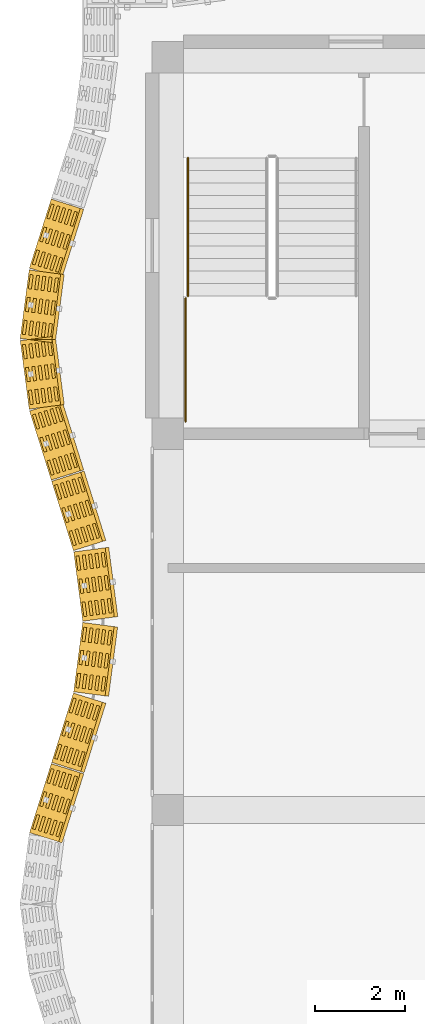
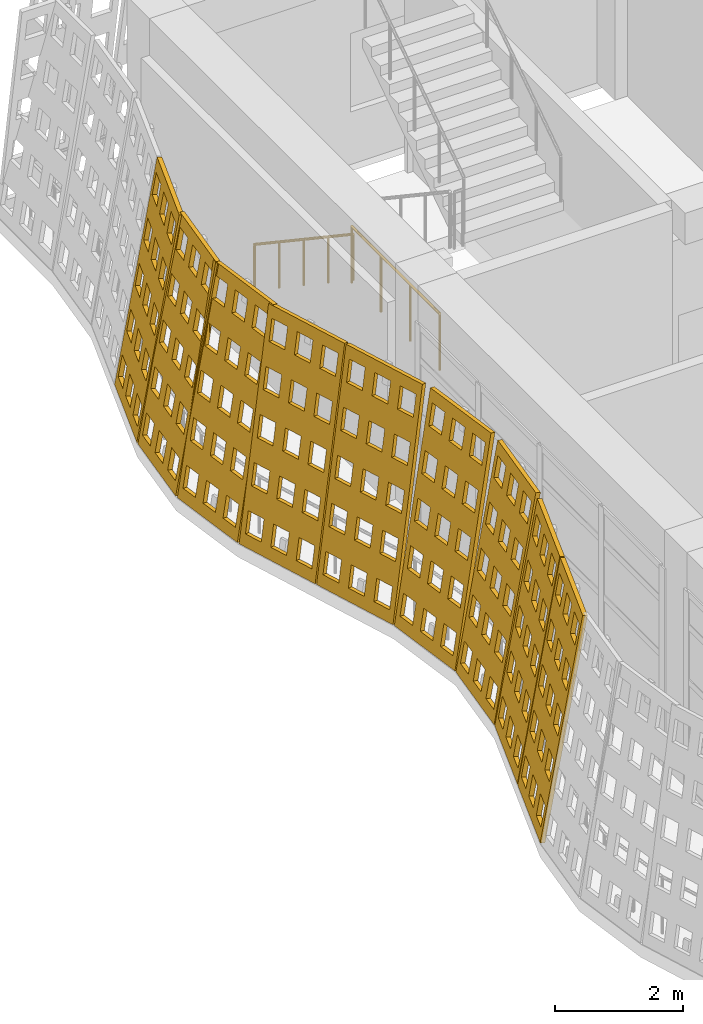
# One storey, part 122 of 162: 9 coverings, 2 railings.
"""IFC4 building model written with IfcOpenShell, lengths in metres."""

from ifc_helpers import new_model, si_unit, direction, frame, origin, origin_2d, place, context, subcontext, project, spatial, polyline, circle, outline, extrude, material, layer, layer_set, type_object, element, save


model = new_model("IFC4")

# Units and contexts
model_context = context("Model", 3, precision=1e-05, world=origin(), true_north=direction((0.0, 1.0)))
body_context = subcontext(model_context, "Body", "Model", "MODEL_VIEW")
ifc_project = project(units=[si_unit("LENGTHUNIT", "METRE"), si_unit("AREAUNIT", "SQUARE_METRE"), si_unit("VOLUMEUNIT", "CUBIC_METRE"), si_unit("PLANEANGLEUNIT", "RADIAN"), si_unit("MASSUNIT", "GRAM", prefix="KILO")], contexts=[model_context])

# Site, building, storey
site_placement = place(None, origin())
site = spatial("IfcSite", under=ifc_project, at=site_placement, CompositionType="ELEMENT")
building_placement = place(site_placement, origin())
building = spatial("IfcBuilding", under=site, at=building_placement, Name="Rain Tree Exposition and Congress Centre", CompositionType="ELEMENT")
storey_placement = place(building_placement, frame((0.0, 0.0, 6.0)))
storey = spatial("IfcBuildingStorey", under=building, at=storey_placement, Name="L01", CompositionType="ELEMENT", Elevation=6.0)

# Coverings
ifc_material_1 = material(Name="Perforated terracotta", Category="masonry")
ifc_layer = layer(ifc_material_1, 0.080078125)
ifc_layer_set = layer_set([ifc_layer], Name="Perforated terracotta")
covering_type = type_object("IfcCoveringType", Name="Terracotta screen 80", PredefinedType="CLADDING", material=ifc_layer_set)
covering_1_placement = place(storey_placement, frame((-2.598388671875, 47.24951171875, 0.0126953125), z_axis=(0.941176896939, -0.298496232686, -0.158385756119), x_axis=(0.302312226207, 0.953208958144, 0.0)))
element("IfcCovering", 1, at=covering_1_placement, inside=storey, type_object=covering_type, Name="wing/screen/L01/105", PredefinedType="CLADDING", context=body_context, shape_type="SweptSolid", body=[
    extrude(outline(polyline([(-1.62890625, 0.0), (-1.62890625, 4.291259765625), (-0.014892578125, 4.291259765625), (-0.014892578125, 0.0), (-1.62890625, 0.0)]), holes=[polyline([(-0.1171875, 0.221435546875), (-0.1171875, 0.63671875), (-0.45068359375, 0.63671875), (-0.45068359375, 0.221435546875), (-0.1171875, 0.221435546875)]), polyline([(-0.1171875, 1.07958984375), (-0.1171875, 1.4951171875), (-0.45068359375, 1.4951171875), (-0.45068359375, 1.07958984375), (-0.1171875, 1.07958984375)]), polyline([(-0.1171875, 1.93798828125), (-0.1171875, 2.353271484375), (-0.45068359375, 2.353271484375), (-0.45068359375, 1.93798828125), (-0.1171875, 1.93798828125)]), polyline([(-0.1171875, 2.796142578125), (-0.1171875, 3.21142578125), (-0.45068359375, 3.21142578125), (-0.45068359375, 2.796142578125), (-0.1171875, 2.796142578125)]), polyline([(-0.1171875, 3.654541015625), (-0.1171875, 4.06982421875), (-0.45068359375, 4.06982421875), (-0.45068359375, 3.654541015625), (-0.1171875, 3.654541015625)]), polyline([(-0.6552734375, 0.221435546875), (-0.6552734375, 0.63671875), (-0.98876953125, 0.63671875), (-0.98876953125, 0.221435546875), (-0.6552734375, 0.221435546875)]), polyline([(-0.6552734375, 1.07958984375), (-0.6552734375, 1.4951171875), (-0.98876953125, 1.4951171875), (-0.98876953125, 1.07958984375), (-0.6552734375, 1.07958984375)]), polyline([(-0.6552734375, 1.93798828125), (-0.6552734375, 2.353271484375), (-0.98876953125, 2.353271484375), (-0.98876953125, 1.93798828125), (-0.6552734375, 1.93798828125)]), polyline([(-0.6552734375, 2.796142578125), (-0.6552734375, 3.21142578125), (-0.98876953125, 3.21142578125), (-0.98876953125, 2.796142578125), (-0.6552734375, 2.796142578125)]), polyline([(-0.6552734375, 3.654541015625), (-0.6552734375, 4.06982421875), (-0.98876953125, 4.06982421875), (-0.98876953125, 3.654541015625), (-0.6552734375, 3.654541015625)]), polyline([(-1.193115234375, 0.221435546875), (-1.193115234375, 0.63671875), (-1.526611328125, 0.63671875), (-1.526611328125, 0.221435546875), (-1.193115234375, 0.221435546875)]), polyline([(-1.193115234375, 1.07958984375), (-1.193115234375, 1.4951171875), (-1.526611328125, 1.4951171875), (-1.526611328125, 1.07958984375), (-1.193115234375, 1.07958984375)]), polyline([(-1.193115234375, 1.93798828125), (-1.193115234375, 2.353271484375), (-1.526611328125, 2.353271484375), (-1.526611328125, 1.93798828125), (-1.193115234375, 1.93798828125)]), polyline([(-1.193115234375, 2.796142578125), (-1.193115234375, 3.21142578125), (-1.526611328125, 3.21142578125), (-1.526611328125, 2.796142578125), (-1.193115234375, 2.796142578125)]), polyline([(-1.193115234375, 3.654541015625), (-1.193115234375, 4.06982421875), (-1.526611328125, 4.06982421875), (-1.526611328125, 3.654541015625), (-1.193115234375, 3.654541015625)])]), origin(), (0.0, 0.0, 1.0), 0.080078125),
])
covering_2_placement = place(storey_placement, frame((-3.093017578125, 45.6748046875, 0.01318359375), z_axis=(0.9779030419, -0.128349774249, -0.165021138321), x_axis=(0.130133906157, 0.991496427865, 0.0)))
element("IfcCovering", 2, at=covering_2_placement, inside=storey, type_object=covering_type, Name="wing/screen/L01/106", PredefinedType="CLADDING", context=body_context, shape_type="SweptSolid", body=[
    extrude(outline(polyline([(-1.56298828125, 0.0), (-1.56298828125, 4.295166015625), (-0.02197265625, 4.295166015625), (-0.02197265625, 0.0), (-1.56298828125, 0.0)]), holes=[polyline([(-0.11962890625, 0.2216796875), (-0.11962890625, 0.63720703125), (-0.43798828125, 0.63720703125), (-0.43798828125, 0.2216796875), (-0.11962890625, 0.2216796875)]), polyline([(-0.11962890625, 1.080810546875), (-0.11962890625, 1.496337890625), (-0.43798828125, 1.496337890625), (-0.43798828125, 1.080810546875), (-0.11962890625, 1.080810546875)]), polyline([(-0.11962890625, 1.939697265625), (-0.11962890625, 2.35546875), (-0.43798828125, 2.35546875), (-0.43798828125, 1.939697265625), (-0.11962890625, 1.939697265625)]), polyline([(-0.11962890625, 2.798583984375), (-0.11962890625, 3.21435546875), (-0.43798828125, 3.21435546875), (-0.43798828125, 2.798583984375), (-0.11962890625, 2.798583984375)]), polyline([(-0.11962890625, 3.65771484375), (-0.11962890625, 4.073486328125), (-0.43798828125, 4.073486328125), (-0.43798828125, 3.65771484375), (-0.11962890625, 3.65771484375)]), polyline([(-0.63330078125, 0.2216796875), (-0.63330078125, 0.63720703125), (-0.95166015625, 0.63720703125), (-0.95166015625, 0.2216796875), (-0.63330078125, 0.2216796875)]), polyline([(-0.63330078125, 1.080810546875), (-0.63330078125, 1.496337890625), (-0.95166015625, 1.496337890625), (-0.95166015625, 1.080810546875), (-0.63330078125, 1.080810546875)]), polyline([(-0.63330078125, 1.939697265625), (-0.63330078125, 2.35546875), (-0.95166015625, 2.35546875), (-0.95166015625, 1.939697265625), (-0.63330078125, 1.939697265625)]), polyline([(-0.63330078125, 2.798583984375), (-0.63330078125, 3.21435546875), (-0.95166015625, 3.21435546875), (-0.95166015625, 2.798583984375), (-0.63330078125, 2.798583984375)]), polyline([(-0.63330078125, 3.65771484375), (-0.63330078125, 4.073486328125), (-0.95166015625, 4.073486328125), (-0.95166015625, 3.65771484375), (-0.63330078125, 3.65771484375)]), polyline([(-1.146728515625, 0.2216796875), (-1.146728515625, 0.63720703125), (-1.46533203125, 0.63720703125), (-1.46533203125, 0.2216796875), (-1.146728515625, 0.2216796875)]), polyline([(-1.146728515625, 1.080810546875), (-1.146728515625, 1.496337890625), (-1.46533203125, 1.496337890625), (-1.46533203125, 1.080810546875), (-1.146728515625, 1.080810546875)]), polyline([(-1.146728515625, 1.939697265625), (-1.146728515625, 2.35546875), (-1.46533203125, 2.35546875), (-1.46533203125, 1.939697265625), (-1.146728515625, 1.939697265625)]), polyline([(-1.146728515625, 2.798583984375), (-1.146728515625, 3.21435546875), (-1.46533203125, 3.21435546875), (-1.46533203125, 2.798583984375), (-1.146728515625, 2.798583984375)]), polyline([(-1.146728515625, 3.65771484375), (-1.146728515625, 4.073486328125), (-1.46533203125, 4.073486328125), (-1.46533203125, 3.65771484375), (-1.146728515625, 3.65771484375)])]), origin(), (0.0, 0.0, 1.0), 0.079833984375),
])
covering_3_placement = place(storey_placement, frame((-3.298095703125, 44.100341796875, 0.01318359375), z_axis=(0.9779030419, 0.128349774249, -0.165021138321), x_axis=(-0.130133906157, 0.991496427865, 0.0)))
element("IfcCovering", 3, at=covering_3_placement, inside=storey, type_object=covering_type, Name="wing/screen/L01/107", PredefinedType="CLADDING", context=body_context, shape_type="SweptSolid", body=[
    extrude(outline(polyline([(-1.56640625, 0.0), (-1.56640625, 4.295166015625), (-0.025390625, 4.295166015625), (-0.025390625, 0.0), (-1.56640625, 0.0)]), holes=[polyline([(-0.123046875, 0.2216796875), (-0.123046875, 0.63720703125), (-0.44140625, 0.63720703125), (-0.44140625, 0.2216796875), (-0.123046875, 0.2216796875)]), polyline([(-0.123046875, 1.080810546875), (-0.123046875, 1.496337890625), (-0.44140625, 1.496337890625), (-0.44140625, 1.080810546875), (-0.123046875, 1.080810546875)]), polyline([(-0.123046875, 1.939697265625), (-0.123046875, 2.35546875), (-0.44140625, 2.35546875), (-0.44140625, 1.939697265625), (-0.123046875, 1.939697265625)]), polyline([(-0.123046875, 2.798583984375), (-0.123046875, 3.21435546875), (-0.44140625, 3.21435546875), (-0.44140625, 2.798583984375), (-0.123046875, 2.798583984375)]), polyline([(-0.123046875, 3.65771484375), (-0.123046875, 4.073486328125), (-0.44140625, 4.073486328125), (-0.44140625, 3.65771484375), (-0.123046875, 3.65771484375)]), polyline([(-0.63671875, 0.2216796875), (-0.63671875, 0.63720703125), (-0.955078125, 0.63720703125), (-0.955078125, 0.2216796875), (-0.63671875, 0.2216796875)]), polyline([(-0.63671875, 1.080810546875), (-0.63671875, 1.496337890625), (-0.955078125, 1.496337890625), (-0.955078125, 1.080810546875), (-0.63671875, 1.080810546875)]), polyline([(-0.63671875, 1.939697265625), (-0.63671875, 2.35546875), (-0.955078125, 2.35546875), (-0.955078125, 1.939697265625), (-0.63671875, 1.939697265625)]), polyline([(-0.63671875, 2.798583984375), (-0.63671875, 3.21435546875), (-0.955078125, 3.21435546875), (-0.955078125, 2.798583984375), (-0.63671875, 2.798583984375)]), polyline([(-0.63671875, 3.65771484375), (-0.63671875, 4.073486328125), (-0.955078125, 4.073486328125), (-0.955078125, 3.65771484375), (-0.63671875, 3.65771484375)]), polyline([(-1.150146484375, 0.2216796875), (-1.150146484375, 0.63720703125), (-1.46875, 0.63720703125), (-1.46875, 0.2216796875), (-1.150146484375, 0.2216796875)]), polyline([(-1.150146484375, 1.080810546875), (-1.150146484375, 1.496337890625), (-1.46875, 1.496337890625), (-1.46875, 1.080810546875), (-1.150146484375, 1.080810546875)]), polyline([(-1.150146484375, 1.939697265625), (-1.150146484375, 2.35546875), (-1.46875, 2.35546875), (-1.46875, 1.939697265625), (-1.150146484375, 1.939697265625)]), polyline([(-1.150146484375, 2.798583984375), (-1.150146484375, 3.21435546875), (-1.46875, 3.21435546875), (-1.46875, 2.798583984375), (-1.150146484375, 2.798583984375)]), polyline([(-1.150146484375, 3.65771484375), (-1.150146484375, 4.073486328125), (-1.46875, 4.073486328125), (-1.46875, 3.65771484375), (-1.150146484375, 3.65771484375)])]), origin(), (0.0, 0.0, 1.0), 0.079833984375),
])
covering_4_placement = place(storey_placement, frame((-3.093505859375, 42.525634765625, 0.0126953125), z_axis=(0.942029390639, 0.295717964052, -0.158529217842), x_axis=(-0.29950542383, 0.954094597562, 0.0)))
element("IfcCovering", 4, at=covering_4_placement, inside=storey, type_object=covering_type, Name="wing/screen/L01/108", PredefinedType="CLADDING", context=body_context, shape_type="SweptSolid", body=[
    extrude(outline(polyline([(-1.635986328125, 0.0), (-1.635986328125, 4.291259765625), (-0.02197265625, 4.291259765625), (-0.02197265625, 0.0), (-1.635986328125, 0.0)]), holes=[polyline([(-0.124267578125, 0.221435546875), (-0.124267578125, 0.63671875), (-0.457763671875, 0.63671875), (-0.457763671875, 0.221435546875), (-0.124267578125, 0.221435546875)]), polyline([(-0.124267578125, 1.07958984375), (-0.124267578125, 1.4951171875), (-0.457763671875, 1.4951171875), (-0.457763671875, 1.07958984375), (-0.124267578125, 1.07958984375)]), polyline([(-0.124267578125, 1.93798828125), (-0.124267578125, 2.353271484375), (-0.457763671875, 2.353271484375), (-0.457763671875, 1.93798828125), (-0.124267578125, 1.93798828125)]), polyline([(-0.124267578125, 2.796142578125), (-0.124267578125, 3.21142578125), (-0.457763671875, 3.21142578125), (-0.457763671875, 2.796142578125), (-0.124267578125, 2.796142578125)]), polyline([(-0.124267578125, 3.654541015625), (-0.124267578125, 4.06982421875), (-0.457763671875, 4.06982421875), (-0.457763671875, 3.654541015625), (-0.124267578125, 3.654541015625)]), polyline([(-0.662109375, 0.221435546875), (-0.662109375, 0.63671875), (-0.995849609375, 0.63671875), (-0.995849609375, 0.221435546875), (-0.662109375, 0.221435546875)]), polyline([(-0.662109375, 1.07958984375), (-0.662109375, 1.4951171875), (-0.995849609375, 1.4951171875), (-0.995849609375, 1.07958984375), (-0.662109375, 1.07958984375)]), polyline([(-0.662109375, 1.93798828125), (-0.662109375, 2.353271484375), (-0.995849609375, 2.353271484375), (-0.995849609375, 1.93798828125), (-0.662109375, 1.93798828125)]), polyline([(-0.662109375, 2.796142578125), (-0.662109375, 3.21142578125), (-0.995849609375, 3.21142578125), (-0.995849609375, 2.796142578125), (-0.662109375, 2.796142578125)]), polyline([(-0.662109375, 3.654541015625), (-0.662109375, 4.06982421875), (-0.995849609375, 4.06982421875), (-0.995849609375, 3.654541015625), (-0.662109375, 3.654541015625)]), polyline([(-1.2001953125, 0.221435546875), (-1.2001953125, 0.63671875), (-1.53369140625, 0.63671875), (-1.53369140625, 0.221435546875), (-1.2001953125, 0.221435546875)]), polyline([(-1.2001953125, 1.07958984375), (-1.2001953125, 1.4951171875), (-1.53369140625, 1.4951171875), (-1.53369140625, 1.07958984375), (-1.2001953125, 1.07958984375)]), polyline([(-1.2001953125, 1.93798828125), (-1.2001953125, 2.353271484375), (-1.53369140625, 2.353271484375), (-1.53369140625, 1.93798828125), (-1.2001953125, 1.93798828125)]), polyline([(-1.2001953125, 2.796142578125), (-1.2001953125, 3.21142578125), (-1.53369140625, 3.21142578125), (-1.53369140625, 2.796142578125), (-1.2001953125, 2.796142578125)]), polyline([(-1.2001953125, 3.654541015625), (-1.2001953125, 4.06982421875), (-1.53369140625, 4.06982421875), (-1.53369140625, 3.654541015625), (-1.2001953125, 3.654541015625)])]), origin(), (0.0, 0.0, 1.0), 0.080078125),
])
covering_5_placement = place(storey_placement, frame((-2.598388671875, 40.95068359375, 0.0126953125), z_axis=(0.942029390639, 0.295717964052, -0.158529217842), x_axis=(-0.29950542383, 0.954094597562, 0.0)))
element("IfcCovering", 5, at=covering_5_placement, inside=storey, type_object=covering_type, Name="wing/screen/L01/109", PredefinedType="CLADDING", context=body_context, shape_type="SweptSolid", body=[
    extrude(outline(polyline([(-1.635986328125, 0.0), (-1.635986328125, 4.291259765625), (-0.014892578125, 4.291259765625), (-0.014892578125, 0.0), (-1.635986328125, 0.0)]), holes=[polyline([(-0.11767578125, 0.221435546875), (-0.11767578125, 0.63671875), (-0.45263671875, 0.63671875), (-0.45263671875, 0.221435546875), (-0.11767578125, 0.221435546875)]), polyline([(-0.11767578125, 1.07958984375), (-0.11767578125, 1.4951171875), (-0.45263671875, 1.4951171875), (-0.45263671875, 1.07958984375), (-0.11767578125, 1.07958984375)]), polyline([(-0.11767578125, 1.93798828125), (-0.11767578125, 2.353271484375), (-0.45263671875, 2.353271484375), (-0.45263671875, 1.93798828125), (-0.11767578125, 1.93798828125)]), polyline([(-0.11767578125, 2.796142578125), (-0.11767578125, 3.21142578125), (-0.45263671875, 3.21142578125), (-0.45263671875, 2.796142578125), (-0.11767578125, 2.796142578125)]), polyline([(-0.11767578125, 3.654541015625), (-0.11767578125, 4.06982421875), (-0.45263671875, 4.06982421875), (-0.45263671875, 3.654541015625), (-0.11767578125, 3.654541015625)]), polyline([(-0.657958984375, 0.221435546875), (-0.657958984375, 0.63671875), (-0.992919921875, 0.63671875), (-0.992919921875, 0.221435546875), (-0.657958984375, 0.221435546875)]), polyline([(-0.657958984375, 1.07958984375), (-0.657958984375, 1.4951171875), (-0.992919921875, 1.4951171875), (-0.992919921875, 1.07958984375), (-0.657958984375, 1.07958984375)]), polyline([(-0.657958984375, 1.93798828125), (-0.657958984375, 2.353271484375), (-0.992919921875, 2.353271484375), (-0.992919921875, 1.93798828125), (-0.657958984375, 1.93798828125)]), polyline([(-0.657958984375, 2.796142578125), (-0.657958984375, 3.21142578125), (-0.992919921875, 3.21142578125), (-0.992919921875, 2.796142578125), (-0.657958984375, 2.796142578125)]), polyline([(-0.657958984375, 3.654541015625), (-0.657958984375, 4.06982421875), (-0.992919921875, 4.06982421875), (-0.992919921875, 3.654541015625), (-0.657958984375, 3.654541015625)]), polyline([(-1.1982421875, 0.221435546875), (-1.1982421875, 0.63671875), (-1.533203125, 0.63671875), (-1.533203125, 0.221435546875), (-1.1982421875, 0.221435546875)]), polyline([(-1.1982421875, 1.07958984375), (-1.1982421875, 1.4951171875), (-1.533203125, 1.4951171875), (-1.533203125, 1.07958984375), (-1.1982421875, 1.07958984375)]), polyline([(-1.1982421875, 1.93798828125), (-1.1982421875, 2.353271484375), (-1.533203125, 2.353271484375), (-1.533203125, 1.93798828125), (-1.1982421875, 1.93798828125)]), polyline([(-1.1982421875, 2.796142578125), (-1.1982421875, 3.21142578125), (-1.533203125, 3.21142578125), (-1.533203125, 2.796142578125), (-1.1982421875, 2.796142578125)]), polyline([(-1.1982421875, 3.654541015625), (-1.1982421875, 4.06982421875), (-1.533203125, 4.06982421875), (-1.533203125, 3.654541015625), (-1.1982421875, 3.654541015625)])]), origin(), (0.0, 0.0, 1.0), 0.080078125),
])
covering_6_placement = place(storey_placement, frame((-2.10302734375, 39.375244140625, 0.01318359375), z_axis=(0.9779030419, 0.128349774249, -0.165021138321), x_axis=(-0.130133906157, 0.991496427865, 0.0)))
element("IfcCovering", 6, at=covering_6_placement, inside=storey, type_object=covering_type, Name="wing/screen/L01/110", PredefinedType="CLADDING", context=body_context, shape_type="SweptSolid", body=[
    extrude(outline(polyline([(-1.5732421875, 0.0), (-1.5732421875, 4.295166015625), (-0.014892578125, 4.295166015625), (-0.014892578125, 0.0), (-1.5732421875, 0.0)]), holes=[polyline([(-0.11376953125, 0.2216796875), (-0.11376953125, 0.63720703125), (-0.435791015625, 0.63720703125), (-0.435791015625, 0.2216796875), (-0.11376953125, 0.2216796875)]), polyline([(-0.11376953125, 1.080810546875), (-0.11376953125, 1.496337890625), (-0.435791015625, 1.496337890625), (-0.435791015625, 1.080810546875), (-0.11376953125, 1.080810546875)]), polyline([(-0.11376953125, 1.939697265625), (-0.11376953125, 2.35546875), (-0.435791015625, 2.35546875), (-0.435791015625, 1.939697265625), (-0.11376953125, 1.939697265625)]), polyline([(-0.11376953125, 2.798583984375), (-0.11376953125, 3.21435546875), (-0.435791015625, 3.21435546875), (-0.435791015625, 2.798583984375), (-0.11376953125, 2.798583984375)]), polyline([(-0.11376953125, 3.65771484375), (-0.11376953125, 4.073486328125), (-0.435791015625, 4.073486328125), (-0.435791015625, 3.65771484375), (-0.11376953125, 3.65771484375)]), polyline([(-0.633056640625, 0.2216796875), (-0.633056640625, 0.63720703125), (-0.955078125, 0.63720703125), (-0.955078125, 0.2216796875), (-0.633056640625, 0.2216796875)]), polyline([(-0.633056640625, 1.080810546875), (-0.633056640625, 1.496337890625), (-0.955078125, 1.496337890625), (-0.955078125, 1.080810546875), (-0.633056640625, 1.080810546875)]), polyline([(-0.633056640625, 1.939697265625), (-0.633056640625, 2.35546875), (-0.955078125, 2.35546875), (-0.955078125, 1.939697265625), (-0.633056640625, 1.939697265625)]), polyline([(-0.633056640625, 2.798583984375), (-0.633056640625, 3.21435546875), (-0.955078125, 3.21435546875), (-0.955078125, 2.798583984375), (-0.633056640625, 2.798583984375)]), polyline([(-0.633056640625, 3.65771484375), (-0.633056640625, 4.073486328125), (-0.955078125, 4.073486328125), (-0.955078125, 3.65771484375), (-0.633056640625, 3.65771484375)]), polyline([(-1.152587890625, 0.2216796875), (-1.152587890625, 0.63720703125), (-1.474609375, 0.63720703125), (-1.474609375, 0.2216796875), (-1.152587890625, 0.2216796875)]), polyline([(-1.152587890625, 1.080810546875), (-1.152587890625, 1.496337890625), (-1.474609375, 1.496337890625), (-1.474609375, 1.080810546875), (-1.152587890625, 1.080810546875)]), polyline([(-1.152587890625, 1.939697265625), (-1.152587890625, 2.35546875), (-1.474609375, 2.35546875), (-1.474609375, 1.939697265625), (-1.152587890625, 1.939697265625)]), polyline([(-1.152587890625, 2.798583984375), (-1.152587890625, 3.21435546875), (-1.474609375, 3.21435546875), (-1.474609375, 2.798583984375), (-1.152587890625, 2.798583984375)]), polyline([(-1.152587890625, 3.65771484375), (-1.152587890625, 4.073486328125), (-1.474609375, 4.073486328125), (-1.474609375, 3.65771484375), (-1.152587890625, 3.65771484375)])]), origin(), (0.0, 0.0, 1.0), 0.079833984375),
])
covering_7_placement = place(storey_placement, frame((-1.898193359375, 37.7998046875, 0.01318359375), z_axis=(0.978036007662, -0.127967328105, -0.16452942185), x_axis=(0.129735338481, 0.991548658387, 0.0)))
element("IfcCovering", 7, at=covering_7_placement, inside=storey, type_object=covering_type, Name="wing/screen/L01/111", PredefinedType="CLADDING", context=body_context, shape_type="SweptSolid", body=[
    extrude(outline(polyline([(-1.5732421875, 0.0), (-1.5732421875, 4.295166015625), (-0.014892578125, 4.295166015625), (-0.014892578125, 0.0), (-1.5732421875, 0.0)]), holes=[polyline([(-0.11376953125, 0.2216796875), (-0.11376953125, 0.63720703125), (-0.435791015625, 0.63720703125), (-0.435791015625, 0.2216796875), (-0.11376953125, 0.2216796875)]), polyline([(-0.11376953125, 1.080810546875), (-0.11376953125, 1.496337890625), (-0.435791015625, 1.496337890625), (-0.435791015625, 1.080810546875), (-0.11376953125, 1.080810546875)]), polyline([(-0.11376953125, 1.939697265625), (-0.11376953125, 2.35546875), (-0.435791015625, 2.35546875), (-0.435791015625, 1.939697265625), (-0.11376953125, 1.939697265625)]), polyline([(-0.11376953125, 2.798583984375), (-0.11376953125, 3.21435546875), (-0.435791015625, 3.21435546875), (-0.435791015625, 2.798583984375), (-0.11376953125, 2.798583984375)]), polyline([(-0.11376953125, 3.65771484375), (-0.11376953125, 4.073486328125), (-0.435791015625, 4.073486328125), (-0.435791015625, 3.65771484375), (-0.11376953125, 3.65771484375)]), polyline([(-0.633056640625, 0.2216796875), (-0.633056640625, 0.63720703125), (-0.955078125, 0.63720703125), (-0.955078125, 0.2216796875), (-0.633056640625, 0.2216796875)]), polyline([(-0.633056640625, 1.080810546875), (-0.633056640625, 1.496337890625), (-0.955078125, 1.496337890625), (-0.955078125, 1.080810546875), (-0.633056640625, 1.080810546875)]), polyline([(-0.633056640625, 1.939697265625), (-0.633056640625, 2.35546875), (-0.955078125, 2.35546875), (-0.955078125, 1.939697265625), (-0.633056640625, 1.939697265625)]), polyline([(-0.633056640625, 2.798583984375), (-0.633056640625, 3.21435546875), (-0.955078125, 3.21435546875), (-0.955078125, 2.798583984375), (-0.633056640625, 2.798583984375)]), polyline([(-0.633056640625, 3.65771484375), (-0.633056640625, 4.073486328125), (-0.955078125, 4.073486328125), (-0.955078125, 3.65771484375), (-0.633056640625, 3.65771484375)]), polyline([(-1.152587890625, 0.2216796875), (-1.152587890625, 0.63720703125), (-1.474609375, 0.63720703125), (-1.474609375, 0.2216796875), (-1.152587890625, 0.2216796875)]), polyline([(-1.152587890625, 1.080810546875), (-1.152587890625, 1.496337890625), (-1.474609375, 1.496337890625), (-1.474609375, 1.080810546875), (-1.152587890625, 1.080810546875)]), polyline([(-1.152587890625, 1.939697265625), (-1.152587890625, 2.35546875), (-1.474609375, 2.35546875), (-1.474609375, 1.939697265625), (-1.152587890625, 1.939697265625)]), polyline([(-1.152587890625, 2.798583984375), (-1.152587890625, 3.21435546875), (-1.474609375, 3.21435546875), (-1.474609375, 2.798583984375), (-1.152587890625, 2.798583984375)]), polyline([(-1.152587890625, 3.65771484375), (-1.152587890625, 4.073486328125), (-1.474609375, 4.073486328125), (-1.474609375, 3.65771484375), (-1.152587890625, 3.65771484375)])]), origin(), (0.0, 0.0, 1.0), 0.080078125),
])
covering_8_placement = place(storey_placement, frame((-2.103515625, 36.224365234375, 0.0126953125), z_axis=(0.942029390639, -0.295717964052, -0.158529217842), x_axis=(0.29950542383, 0.954094597562, 0.0)))
element("IfcCovering", 8, at=covering_8_placement, inside=storey, type_object=covering_type, Name="wing/screen/L01/112", PredefinedType="CLADDING", context=body_context, shape_type="SweptSolid", body=[
    extrude(outline(polyline([(-1.635986328125, 0.0), (-1.635986328125, 4.291259765625), (-0.014892578125, 4.291259765625), (-0.014892578125, 0.0), (-1.635986328125, 0.0)]), holes=[polyline([(-0.11767578125, 0.221435546875), (-0.11767578125, 0.63671875), (-0.45263671875, 0.63671875), (-0.45263671875, 0.221435546875), (-0.11767578125, 0.221435546875)]), polyline([(-0.11767578125, 1.07958984375), (-0.11767578125, 1.4951171875), (-0.45263671875, 1.4951171875), (-0.45263671875, 1.07958984375), (-0.11767578125, 1.07958984375)]), polyline([(-0.11767578125, 1.93798828125), (-0.11767578125, 2.353271484375), (-0.45263671875, 2.353271484375), (-0.45263671875, 1.93798828125), (-0.11767578125, 1.93798828125)]), polyline([(-0.11767578125, 2.796142578125), (-0.11767578125, 3.21142578125), (-0.45263671875, 3.21142578125), (-0.45263671875, 2.796142578125), (-0.11767578125, 2.796142578125)]), polyline([(-0.11767578125, 3.654541015625), (-0.11767578125, 4.06982421875), (-0.45263671875, 4.06982421875), (-0.45263671875, 3.654541015625), (-0.11767578125, 3.654541015625)]), polyline([(-0.657958984375, 0.221435546875), (-0.657958984375, 0.63671875), (-0.992919921875, 0.63671875), (-0.992919921875, 0.221435546875), (-0.657958984375, 0.221435546875)]), polyline([(-0.657958984375, 1.07958984375), (-0.657958984375, 1.4951171875), (-0.992919921875, 1.4951171875), (-0.992919921875, 1.07958984375), (-0.657958984375, 1.07958984375)]), polyline([(-0.657958984375, 1.93798828125), (-0.657958984375, 2.353271484375), (-0.992919921875, 2.353271484375), (-0.992919921875, 1.93798828125), (-0.657958984375, 1.93798828125)]), polyline([(-0.657958984375, 2.796142578125), (-0.657958984375, 3.21142578125), (-0.992919921875, 3.21142578125), (-0.992919921875, 2.796142578125), (-0.657958984375, 2.796142578125)]), polyline([(-0.657958984375, 3.654541015625), (-0.657958984375, 4.06982421875), (-0.992919921875, 4.06982421875), (-0.992919921875, 3.654541015625), (-0.657958984375, 3.654541015625)]), polyline([(-1.1982421875, 0.221435546875), (-1.1982421875, 0.63671875), (-1.533203125, 0.63671875), (-1.533203125, 0.221435546875), (-1.1982421875, 0.221435546875)]), polyline([(-1.1982421875, 1.07958984375), (-1.1982421875, 1.4951171875), (-1.533203125, 1.4951171875), (-1.533203125, 1.07958984375), (-1.1982421875, 1.07958984375)]), polyline([(-1.1982421875, 1.93798828125), (-1.1982421875, 2.353271484375), (-1.533203125, 2.353271484375), (-1.533203125, 1.93798828125), (-1.1982421875, 1.93798828125)]), polyline([(-1.1982421875, 2.796142578125), (-1.1982421875, 3.21142578125), (-1.533203125, 3.21142578125), (-1.533203125, 2.796142578125), (-1.1982421875, 2.796142578125)]), polyline([(-1.1982421875, 3.654541015625), (-1.1982421875, 4.06982421875), (-1.533203125, 4.06982421875), (-1.533203125, 3.654541015625), (-1.1982421875, 3.654541015625)])]), origin(), (0.0, 0.0, 1.0), 0.080078125),
])
covering_9_placement = place(storey_placement, frame((-2.598388671875, 34.6494140625, 0.0126953125), z_axis=(0.942029390639, -0.295717964052, -0.158529217842), x_axis=(0.29950542383, 0.954094597562, 0.0)))
element("IfcCovering", 9, at=covering_9_placement, inside=storey, type_object=covering_type, Name="wing/screen/L01/113", PredefinedType="CLADDING", context=body_context, shape_type="SweptSolid", body=[
    extrude(outline(polyline([(-1.62890625, 0.0), (-1.62890625, 4.291259765625), (-0.014892578125, 4.291259765625), (-0.014892578125, 0.0), (-1.62890625, 0.0)]), holes=[polyline([(-0.1171875, 0.221435546875), (-0.1171875, 0.63671875), (-0.45068359375, 0.63671875), (-0.45068359375, 0.221435546875), (-0.1171875, 0.221435546875)]), polyline([(-0.1171875, 1.07958984375), (-0.1171875, 1.4951171875), (-0.45068359375, 1.4951171875), (-0.45068359375, 1.07958984375), (-0.1171875, 1.07958984375)]), polyline([(-0.1171875, 1.93798828125), (-0.1171875, 2.353271484375), (-0.45068359375, 2.353271484375), (-0.45068359375, 1.93798828125), (-0.1171875, 1.93798828125)]), polyline([(-0.1171875, 2.796142578125), (-0.1171875, 3.21142578125), (-0.45068359375, 3.21142578125), (-0.45068359375, 2.796142578125), (-0.1171875, 2.796142578125)]), polyline([(-0.1171875, 3.654541015625), (-0.1171875, 4.06982421875), (-0.45068359375, 4.06982421875), (-0.45068359375, 3.654541015625), (-0.1171875, 3.654541015625)]), polyline([(-0.6552734375, 0.221435546875), (-0.6552734375, 0.63671875), (-0.98876953125, 0.63671875), (-0.98876953125, 0.221435546875), (-0.6552734375, 0.221435546875)]), polyline([(-0.6552734375, 1.07958984375), (-0.6552734375, 1.4951171875), (-0.98876953125, 1.4951171875), (-0.98876953125, 1.07958984375), (-0.6552734375, 1.07958984375)]), polyline([(-0.6552734375, 1.93798828125), (-0.6552734375, 2.353271484375), (-0.98876953125, 2.353271484375), (-0.98876953125, 1.93798828125), (-0.6552734375, 1.93798828125)]), polyline([(-0.6552734375, 2.796142578125), (-0.6552734375, 3.21142578125), (-0.98876953125, 3.21142578125), (-0.98876953125, 2.796142578125), (-0.6552734375, 2.796142578125)]), polyline([(-0.6552734375, 3.654541015625), (-0.6552734375, 4.06982421875), (-0.98876953125, 4.06982421875), (-0.98876953125, 3.654541015625), (-0.6552734375, 3.654541015625)]), polyline([(-1.193115234375, 0.221435546875), (-1.193115234375, 0.63671875), (-1.526611328125, 0.63671875), (-1.526611328125, 0.221435546875), (-1.193115234375, 0.221435546875)]), polyline([(-1.193115234375, 1.07958984375), (-1.193115234375, 1.4951171875), (-1.526611328125, 1.4951171875), (-1.526611328125, 1.07958984375), (-1.193115234375, 1.07958984375)]), polyline([(-1.193115234375, 1.93798828125), (-1.193115234375, 2.353271484375), (-1.526611328125, 2.353271484375), (-1.526611328125, 1.93798828125), (-1.193115234375, 1.93798828125)]), polyline([(-1.193115234375, 2.796142578125), (-1.193115234375, 3.21142578125), (-1.526611328125, 3.21142578125), (-1.526611328125, 2.796142578125), (-1.193115234375, 2.796142578125)]), polyline([(-1.193115234375, 3.654541015625), (-1.193115234375, 4.06982421875), (-1.526611328125, 4.06982421875), (-1.526611328125, 3.654541015625), (-1.193115234375, 3.654541015625)])]), origin(), (0.0, 0.0, 1.0), 0.080078125),
])

# Railings
ifc_material_2 = material(Name="Steel S355J2H", Category="steel")
railing_type_1 = type_object("IfcRailingType", Name="Wing stair guard 1100", PredefinedType="GUARDRAIL", material=ifc_material_2)
railing_1_placement = place(storey_placement, frame((0.39697265625, 45.02001953125, 2.25)))
element("IfcRailing", 10, at=railing_1_placement, inside=storey, type_object=railing_type_1, Name="wing/stair/ST-W3-L01-LG1", PredefinedType="GUARDRAIL", context=body_context, shape_type="SweptSolid", body=[
    extrude(circle(Radius=0.02392578125, at=origin_2d()), frame((0.0, 0.0, 1.076171875), z_axis=(0.0, -1.0, 0.0), x_axis=(1.0, 0.0, 0.0)), (0.0, 0.0, 1.0), 2.748046875),
    extrude(circle(Radius=0.02099609375, at=origin_2d()), origin(), (0.0, 0.0, 1.0), 1.052001953125),
    extrude(circle(Radius=0.02099609375, at=origin_2d()), frame((0.0, -0.916015625, 0.0)), (0.0, 0.0, 1.0), 1.052001953125),
    extrude(circle(Radius=0.02099609375, at=origin_2d()), frame((0.0, -1.83203125, 0.0)), (0.0, 0.0, 1.0), 1.052001953125),
    extrude(circle(Radius=0.02099609375, at=origin_2d()), frame((0.0, -2.748046875, 0.0)), (0.0, 0.0, 1.0), 1.052001953125),
])
ifc_material_3 = material(Name="Steel S355J2H", Category="steel")
railing_type_2 = type_object("IfcRailingType", Name="Wing stair handrail 900", PredefinedType="HANDRAIL", material=ifc_material_3)
railing_2_placement = place(storey_placement, frame((0.449951171875, 48.14990234375, 0.1875)))
element("IfcRailing", 11, at=railing_2_placement, inside=storey, type_object=railing_type_2, Name="L01 ST-W3 stair handrail 1", PredefinedType="HANDRAIL", context=body_context, shape_type="SweptSolid", body=[
    extrude(circle(Radius=0.02392578125, at=origin_2d()), frame((0.0, 0.0, 0.8759765625), z_axis=(0.0, -0.830893310487, 0.556431762742), x_axis=(1.0, 0.0, 0.0)), (0.0, 0.0, 1.0), 3.70654296875),
    extrude(circle(Radius=0.02099609375, at=origin_2d()), origin(), (0.0, 0.0, 1.0), 0.851806640625),
    extrude(circle(Radius=0.02099609375, at=origin_2d()), frame((0.0, -0.77001953125, 0.515625)), (0.0, 0.0, 1.0), 0.851806640625),
    extrude(circle(Radius=0.02099609375, at=origin_2d()), frame((0.0, -1.5400390625, 1.03125)), (0.0, 0.0, 1.0), 0.851806640625),
    extrude(circle(Radius=0.02099609375, at=origin_2d()), frame((0.0, -2.309814453125, 1.546875)), (0.0, 0.0, 1.0), 0.851806640625),
    extrude(circle(Radius=0.02099609375, at=origin_2d()), frame((0.0, -3.079833984375, 2.0625)), (0.0, 0.0, 1.0), 0.851806640625),
])

save(model, "model.ifc")
